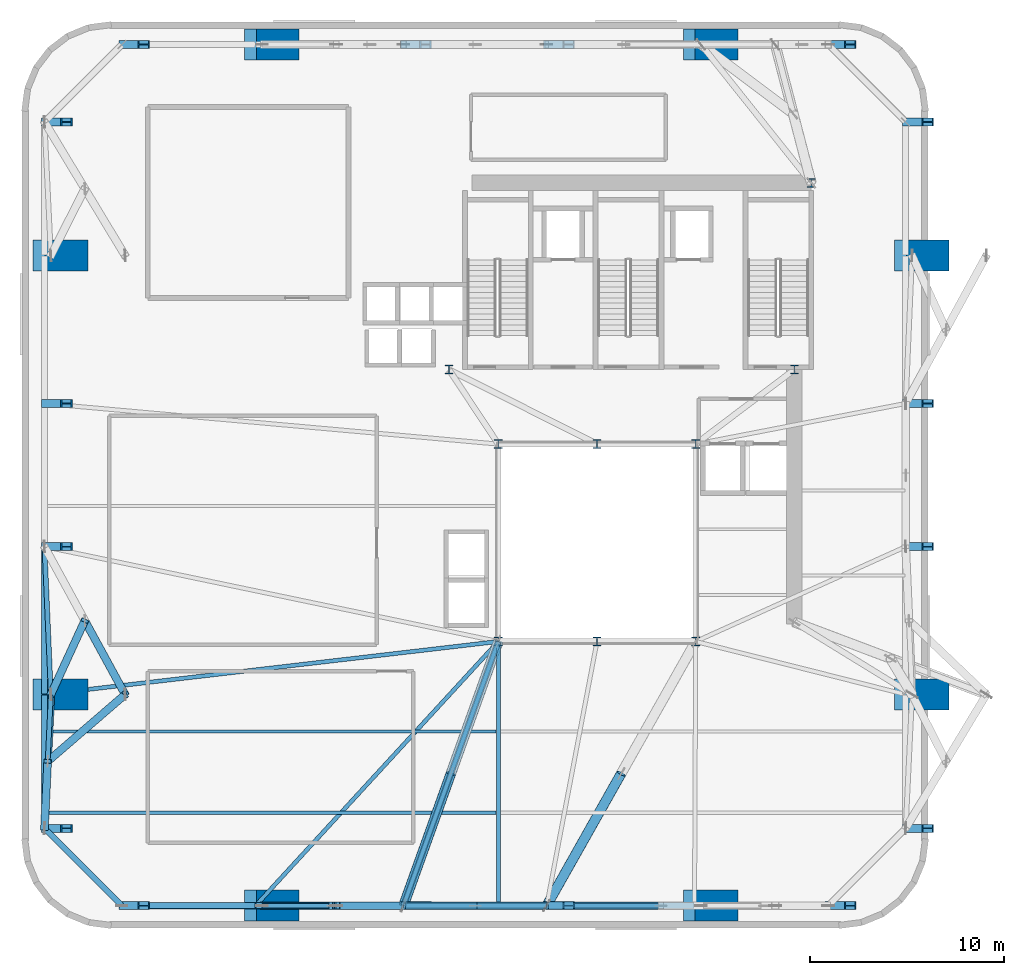
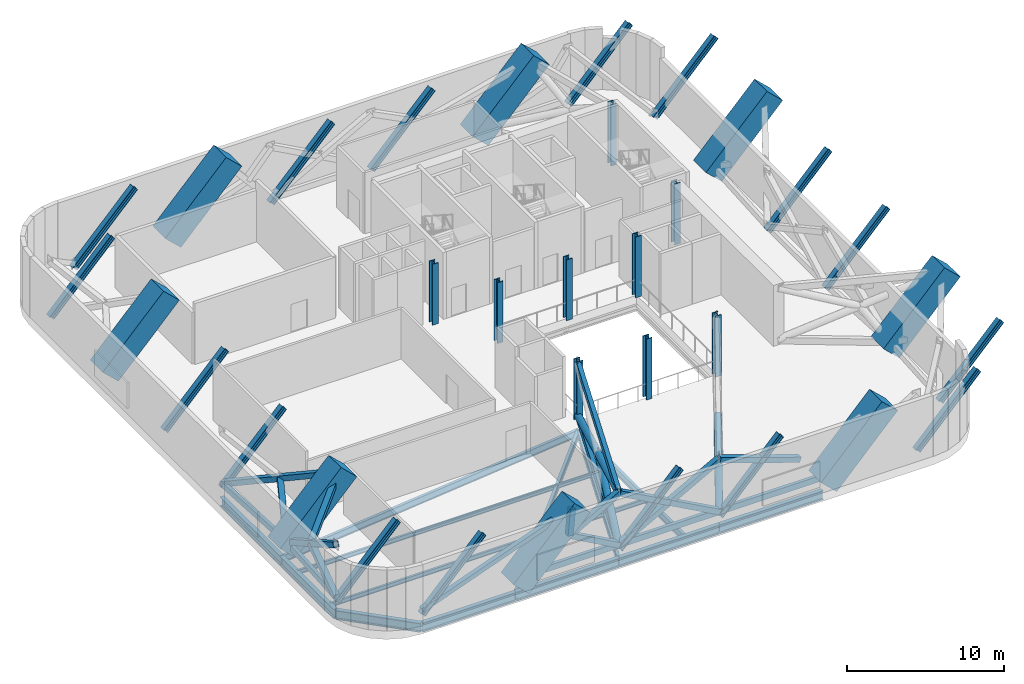
# One storey, part 1 of 12: 33 columns, 23 members, 13 beams.
"""IFC4 building model written with IfcOpenShell, lengths in metres."""

from ifc_helpers import new_model, si_unit, direction, frame, origin, origin_2d, place, context, subcontext, project, spatial, rectangle, hollow_rectangle, hollow_circle, i_section, extrude, source, transform, mapped, material, material_profile, profile_set, type_object, element, save


model = new_model("IFC4")

# Units and contexts
model_context = context("Model", 3, precision=1e-05, world=origin(), true_north=direction((0.0, 1.0)))
body_context = subcontext(model_context, "Body", "Model", "MODEL_VIEW")
ifc_project = project(units=[si_unit("LENGTHUNIT", "METRE"), si_unit("AREAUNIT", "SQUARE_METRE"), si_unit("VOLUMEUNIT", "CUBIC_METRE"), si_unit("PLANEANGLEUNIT", "RADIAN"), si_unit("MASSUNIT", "GRAM", prefix="KILO")], contexts=[model_context])

# Site, building, storey
site_placement = place(None, origin())
site = spatial("IfcSite", under=ifc_project, at=site_placement, CompositionType="ELEMENT")
building_placement = place(site_placement, origin())
building = spatial("IfcBuilding", under=site, at=building_placement, Name="Vardaveli Station Tower", CompositionType="ELEMENT")
storey_placement = place(building_placement, frame((0.0, 0.0, 166.800048828125)))
storey = spatial("IfcBuildingStorey", under=building, at=storey_placement, Name="L43", CompositionType="ELEMENT", Elevation=166.800048828125)

# Columns
ifc_material_1 = material(Name="Structural steel S460M", Category="steel")
ifc_material_profile_1 = material_profile(ifc_material_1, i_section(OverallWidth=0.424072265625, OverallDepth=0.465087890625, WebThickness=0.034912109375, FlangeThickness=0.055908203125, FilletRadius=0.014892578125, at=origin_2d()), Name="HD 400x592")
ifc_profile_set_1 = profile_set([ifc_material_profile_1], Name="Structural steel S460M")
column_type_1 = type_object("IfcColumnType", Name="COL-HD592", PredefinedType="COLUMN", material=ifc_profile_set_1)
shared_shape_1 = source(origin(), body_context, "Body", "SweptSolid", [
    extrude(i_section(OverallWidth=0.424072265625, OverallDepth=0.465087890625, WebThickness=0.034912109375, FlangeThickness=0.055908203125, FilletRadius=0.014892578125, at=origin_2d()), origin(), (0.0, 0.0, 1.0), 4.75),
])
for number, where, z_axis, x_axis, name in (
    (1, (31.199951171875, 16.60009765625, 0.0), (0.0, 0.0, 1.0), (1.0, 0.0, 0.0), "COL-L43-AC1"),
    (2, (36.300048828125, 16.60009765625, 0.0), (0.0, 0.0, 1.0), (1.0, 0.0, 0.0), "COL-L43-AC2"),
    (3, (41.39990234375, 16.60009765625, 0.0), (0.0, 0.0, 1.0), (1.0, 0.0, 0.0), "COL-L43-AC3"),
    (4, (41.39990234375, 26.800048828125, 0.0), (0.0, 0.0, 1.0), (1.0, 0.0, 0.0), "COL-L43-AC4"),
    (5, (36.300048828125, 26.800048828125, 0.0), (0.0, 0.0, 1.0), (1.0, 0.0, 0.0), "COL-L43-AC5"),
    (6, (31.199951171875, 26.800048828125, 0.0), (0.0, 0.0, 1.0), (1.0, 0.0, 0.0), "COL-L43-AC6"),
    (7, (28.64990234375, 30.64990234375, 0.0), (0.0, 0.0, 1.0), (1.0, 0.0, 0.0), "COL-L43-CC1"),
    (8, (46.5, 30.64990234375, 0.0), (0.0, 0.0, 1.0), (1.0, 0.0, 0.0), "COL-L43-CC2"),
    (9, (47.3701171875, 40.300048828125, 0.0), (0.0, 0.0, 1.0), (1.0, 0.0, 0.0), "COL-L43-CC3"),
):
    element("IfcColumn", number, at=place(storey_placement, frame(where, z_axis=z_axis, x_axis=x_axis)), inside=storey, type_object=column_type_1, Name=name, PredefinedType="COLUMN", context=body_context, shape_type="MappedRepresentation", body=[
        mapped(shared_shape_1, transform((0.0, 0.0, 0.0), scale=1.0)),
    ])
ifc_material_2 = material(Name="Concrete C60/75", Category="concrete")
ifc_material_profile_2 = material_profile(ifc_material_2, rectangle(XDim=1.60009765625, YDim=1.60009765625, at=origin_2d()), Name="MC 1600x1600")
ifc_profile_set_2 = profile_set([ifc_material_profile_2], Name="Concrete C60/75")
column_type_2 = type_object("IfcColumnType", Name="COL-MC-1600", PredefinedType="COLUMN", material=ifc_profile_set_2)
shared_shape_2 = source(origin(), body_context, "Body", "SweptSolid", [
    extrude(rectangle(XDim=1.60009765625, YDim=1.60009765625, at=origin_2d()), origin(), (0.0, 0.0, 1.0), 6.543212890625),
])
for number, where, z_axis, x_axis, name in (
    (10, (18.659912109375, 2.949951171875, 0.0), (0.687744647911, 0.0, 0.725952683906), (0.0, 1.0, 0.0), "COL-L43-MC1"),
    (11, (41.340087890625, 2.949951171875, 0.0), (0.687744647911, 0.0, 0.725952683906), (0.0, 1.0, 0.0), "COL-L43-MC2"),
    (12, (52.25, 13.860107421875, 0.0), (0.687744647911, 0.0, 0.725952683906), (0.0, 1.0, 0.0), "COL-L43-MC3"),
    (13, (52.25, 36.5400390625, 0.0), (0.687744647911, 0.0, 0.725952683906), (0.0, 1.0, 0.0), "COL-L43-MC4"),
    (14, (41.340087890625, 47.449951171875, 0.0), (0.687744647911, 0.0, 0.725952683906), (0.0, 1.0, 0.0), "COL-L43-MC5"),
    (15, (18.659912109375, 47.449951171875, 0.0), (0.687744647911, 0.0, 0.725952683906), (0.0, 1.0, 0.0), "COL-L43-MC6"),
    (16, (7.75, 36.5400390625, 0.0), (0.687744647911, 0.0, 0.725952683906), (0.0, 1.0, 0.0), "COL-L43-MC7"),
    (17, (7.75, 13.860107421875, 0.0), (0.687744647911, 0.0, 0.725952683906), (0.0, 1.0, 0.0), "COL-L43-MC8"),
):
    element("IfcColumn", number, at=place(storey_placement, frame(where, z_axis=z_axis, x_axis=x_axis)), inside=storey, type_object=column_type_2, Name=name, PredefinedType="COLUMN", context=body_context, shape_type="MappedRepresentation", body=[
        mapped(shared_shape_2, transform((0.0, 0.0, 0.0), scale=1.0)),
    ])
ifc_material_profile_3 = material_profile(ifc_material_1, i_section(OverallWidth=0.4140625, OverallDepth=0.431884765625, WebThickness=0.025634765625, FlangeThickness=0.0400390625, FilletRadius=0.014892578125, at=origin_2d()), Name="HD 400x421")
ifc_profile_set_3 = profile_set([ifc_material_profile_3], Name="Structural steel S460M")
column_type_3 = type_object("IfcColumnType", Name="COL-HD421", PredefinedType="COLUMN", material=ifc_profile_set_3)
shared_shape_3 = source(origin(), body_context, "Body", "SweptSolid", [
    extrude(i_section(OverallWidth=0.4140625, OverallDepth=0.431884765625, WebThickness=0.025634765625, FlangeThickness=0.0400390625, FilletRadius=0.014892578125, at=origin_2d()), origin(), (0.0, 0.0, 1.0), 6.543212890625),
])
for number, where, z_axis, x_axis, name in (
    (18, (11.75, 2.949951171875, 0.0), (0.687744647911, 0.0, 0.725952683906), (0.0, 1.0, 0.0), "COL-L43-PC01"),
    (19, (26.300048828125, 2.949951171875, 0.0), (0.687744647911, 0.0, 0.725952683906), (0.0, 1.0, 0.0), "COL-L43-PC02"),
    (20, (33.699951171875, 2.949951171875, 0.0), (0.687744647911, 0.0, 0.725952683906), (0.0, 1.0, 0.0), "COL-L43-PC03"),
    (21, (48.25, 2.949951171875, 0.0), (0.687744647911, 0.0, 0.725952683906), (0.0, 1.0, 0.0), "COL-L43-PC04"),
    (22, (52.25, 6.949951171875, 0.0), (0.687744647911, 0.0, 0.725952683906), (0.0, 1.0, 0.0), "COL-L43-PC05"),
    (23, (52.25, 21.5, 0.0), (0.687744647911, 0.0, 0.725952683906), (0.0, 1.0, 0.0), "COL-L43-PC06"),
    (24, (52.25, 28.89990234375, 0.0), (0.687744647911, 0.0, 0.725952683906), (0.0, 1.0, 0.0), "COL-L43-PC07"),
    (25, (52.25, 43.449951171875, 0.0), (0.687744647911, 0.0, 0.725952683906), (0.0, 1.0, 0.0), "COL-L43-PC08"),
    (26, (48.25, 47.449951171875, 0.0), (0.687744647911, 0.0, 0.725952683906), (0.0, 1.0, 0.0), "COL-L43-PC09"),
    (27, (33.699951171875, 47.449951171875, 0.0), (0.687744647911, 0.0, 0.725952683906), (0.0, 1.0, 0.0), "COL-L43-PC10"),
    (28, (26.300048828125, 47.449951171875, 0.0), (0.687744647911, 0.0, 0.725952683906), (0.0, 1.0, 0.0), "COL-L43-PC11"),
    (29, (11.75, 47.449951171875, 0.0), (0.687744647911, 0.0, 0.725952683906), (0.0, 1.0, 0.0), "COL-L43-PC12"),
    (30, (7.75, 43.449951171875, 0.0), (0.687744647911, 0.0, 0.725952683906), (0.0, 1.0, 0.0), "COL-L43-PC13"),
    (31, (7.75, 28.89990234375, 0.0), (0.687744647911, 0.0, 0.725952683906), (0.0, 1.0, 0.0), "COL-L43-PC14"),
    (32, (7.75, 21.5, 0.0), (0.687744647911, 0.0, 0.725952683906), (0.0, 1.0, 0.0), "COL-L43-PC15"),
    (33, (7.75, 6.949951171875, 0.0), (0.687744647911, 0.0, 0.725952683906), (0.0, 1.0, 0.0), "COL-L43-PC16"),
):
    element("IfcColumn", number, at=place(storey_placement, frame(where, z_axis=z_axis, x_axis=x_axis)), inside=storey, type_object=column_type_3, Name=name, PredefinedType="COLUMN", context=body_context, shape_type="MappedRepresentation", body=[
        mapped(shared_shape_3, transform((0.0, 0.0, 0.0), scale=1.0)),
    ])

# Beams
ifc_material_3 = material(Name="Structural steel S355J2", Category="steel")
ifc_material_profile_4 = material_profile(ifc_material_3, i_section(OverallWidth=0.2099609375, OverallDepth=0.550048828125, WebThickness=0.010986328125, FlangeThickness=0.01708984375, FilletRadius=0.02392578125, at=origin_2d()), Name="IPE 550")
ifc_profile_set_4 = profile_set([ifc_material_profile_4], Name="Structural steel S355J2")
beam_type_1 = type_object("IfcBeamType", Name="BM-IPE550", PredefinedType="BEAM", material=ifc_profile_set_4)
shared_shape_4 = source(origin(), body_context, "Body", "SweptSolid", [
    extrude(i_section(OverallWidth=0.2099609375, OverallDepth=0.550048828125, WebThickness=0.010986328125, FlangeThickness=0.01708984375, FilletRadius=0.02392578125, at=origin_2d()), origin(), (0.0, 0.0, 1.0), 13.469970703125),
])
beam_1_placement = place(storey_placement, frame((31.199951171875, 2.989990234375, -0.925048828125), z_axis=(0.0, 1.0, 0.0), x_axis=(-1.0, 0.0, 0.0)))
element("IfcBeam", 34, at=beam_1_placement, inside=storey, type_object=beam_type_1, Name="NSM-L43-S1", PredefinedType="BEAM", context=body_context, shape_type="MappedRepresentation", body=[
    mapped(shared_shape_4, transform((0.0, 0.0, 0.0), scale=1.0)),
])
ifc_material_profile_5 = material_profile(ifc_material_1, i_section(OverallWidth=0.303955078125, OverallDepth=0.716064453125, WebThickness=0.02099609375, FlangeThickness=0.0400390625, FilletRadius=0.027099609375, at=origin_2d()), Name="HEM 700")
ifc_profile_set_5 = profile_set([ifc_material_profile_5], Name="Structural steel S460M")
beam_type_2 = type_object("IfcBeamType", Name="BM-HEM700", PredefinedType="BEAM", material=ifc_profile_set_5)
shared_shape_5 = source(origin(), body_context, "Body", "SweptSolid", [
    extrude(i_section(OverallWidth=0.303955078125, OverallDepth=0.716064453125, WebThickness=0.02099609375, FlangeThickness=0.0400390625, FilletRadius=0.027099609375, at=origin_2d()), origin(), (0.0, 0.0, 1.0), 7.60009765625),
])
for number, where, z_axis, x_axis, name in (
    (35, (18.679931640625, 2.949951171875, -1.008056640625), (1.0, 0.0, 0.0), (0.0, 1.0, 0.0), "RBM-L43-01"),
    (36, (33.719970703125, 2.949951171875, -1.008056640625), (1.0, 0.0, 0.0), (0.0, 1.0, 0.0), "RBM-L43-03"),
    (37, (7.75, 21.47998046875, -1.008056640625), (0.0, -1.0, 0.0), (1.0, 0.0, 0.0), "RBM-L43-21"),
):
    element("IfcBeam", number, at=place(storey_placement, frame(where, z_axis=z_axis, x_axis=x_axis)), inside=storey, type_object=beam_type_2, Name=name, PredefinedType="BEAM", context=body_context, shape_type="MappedRepresentation", body=[
        mapped(shared_shape_5, transform((0.0, 0.0, 0.0), scale=1.0)),
    ])
shared_shape_6 = source(origin(), body_context, "Body", "SweptSolid", [
    extrude(i_section(OverallWidth=0.303955078125, OverallDepth=0.716064453125, WebThickness=0.02099609375, FlangeThickness=0.0400390625, FilletRadius=0.027099609375, at=origin_2d()), origin(), (0.0, 0.0, 1.0), 7.35986328125),
])
beam_2_placement = place(storey_placement, frame((26.320068359375, 2.949951171875, -1.008056640625), z_axis=(1.0, 0.0, 0.0), x_axis=(0.0, 1.0, 0.0)))
element("IfcBeam", 38, at=beam_2_placement, inside=storey, type_object=beam_type_2, Name="RBM-L43-02", PredefinedType="BEAM", context=body_context, shape_type="MappedRepresentation", body=[
    mapped(shared_shape_6, transform((0.0, 0.0, 0.0), scale=1.0)),
])
shared_shape_7 = source(origin(), body_context, "Body", "SweptSolid", [
    extrude(i_section(OverallWidth=0.303955078125, OverallDepth=0.716064453125, WebThickness=0.02099609375, FlangeThickness=0.0400390625, FilletRadius=0.027099609375, at=origin_2d()), origin(), (0.0, 0.0, 1.0), 6.869873046875),
])
beam_3_placement = place(storey_placement, frame((11.77001953125, 2.949951171875, -1.008056640625), z_axis=(1.0, 0.0, 0.0), x_axis=(0.0, 1.0, 0.0)))
element("IfcBeam", 39, at=beam_3_placement, inside=storey, type_object=beam_type_2, Name="RBM-L43-24", PredefinedType="BEAM", context=body_context, shape_type="MappedRepresentation", body=[
    mapped(shared_shape_7, transform((0.0, 0.0, 0.0), scale=1.0)),
])
shared_shape_8 = source(origin(), body_context, "Body", "SweptSolid", [
    extrude(i_section(OverallWidth=0.303955078125, OverallDepth=0.716064453125, WebThickness=0.02099609375, FlangeThickness=0.0400390625, FilletRadius=0.027099609375, at=origin_2d()), origin(), (0.0, 0.0, 1.0), 5.61669921875),
])
beam_4_placement = place(storey_placement, frame((7.76416015625, 6.935791015625, -1.008056640625), z_axis=(0.707106781187, -0.707106781187, 0.0), x_axis=(0.707106781187, 0.707106781187, 0.0)))
element("IfcBeam", 40, at=beam_4_placement, inside=storey, type_object=beam_type_2, Name="RBM-L43-23", PredefinedType="BEAM", context=body_context, shape_type="MappedRepresentation", body=[
    mapped(shared_shape_8, transform((0.0, 0.0, 0.0), scale=1.0)),
])
shared_shape_9 = source(origin(), body_context, "Body", "SweptSolid", [
    extrude(i_section(OverallWidth=0.303955078125, OverallDepth=0.716064453125, WebThickness=0.02099609375, FlangeThickness=0.0400390625, FilletRadius=0.027099609375, at=origin_2d()), origin(), (0.0, 0.0, 1.0), 6.8701171875),
])
beam_5_placement = place(storey_placement, frame((7.75, 13.840087890625, -1.008056640625), z_axis=(0.0, -1.0, 0.0), x_axis=(1.0, 0.0, 0.0)))
element("IfcBeam", 41, at=beam_5_placement, inside=storey, type_object=beam_type_2, Name="RBM-L43-22", PredefinedType="BEAM", context=body_context, shape_type="MappedRepresentation", body=[
    mapped(shared_shape_9, transform((0.0, 0.0, 0.0), scale=1.0)),
])
ifc_material_profile_6 = material_profile(ifc_material_3, i_section(OverallWidth=0.159912109375, OverallDepth=0.330078125, WebThickness=0.007568359375, FlangeThickness=0.011474609375, FilletRadius=0.01806640625, at=origin_2d()), Name="IPE 330")
ifc_profile_set_6 = profile_set([ifc_material_profile_6], Name="Structural steel S355J2")
beam_type_3 = type_object("IfcBeamType", Name="BM-IPE330", PredefinedType="JOIST", material=ifc_profile_set_6)
shared_shape_10 = source(origin(), body_context, "Body", "SweptSolid", [
    extrude(i_section(OverallWidth=0.159912109375, OverallDepth=0.330078125, WebThickness=0.007568359375, FlangeThickness=0.011474609375, FilletRadius=0.01806640625, at=origin_2d()), origin(), (0.0, 0.0, 1.0), 23.2978515625),
])
for number, where, z_axis, x_axis, name in (
    (42, (7.7900390625, 7.75, -0.81494140625), (1.0, 0.0, 0.0), (0.0, 1.0, 0.0), "SJ-L43-S01"),
    (43, (7.7900390625, 11.949951171875, -0.81494140625), (1.0, 0.0, 0.0), (0.0, 1.0, 0.0), "SJ-L43-S03"),
):
    element("IfcBeam", number, at=place(storey_placement, frame(where, z_axis=z_axis, x_axis=x_axis)), inside=storey, type_object=beam_type_3, Name=name, PredefinedType="JOIST", context=body_context, shape_type="MappedRepresentation", body=[
        mapped(shared_shape_10, transform((0.0, 0.0, 0.0), scale=1.0)),
    ])
shared_shape_11 = source(origin(), body_context, "Body", "SweptSolid", [
    extrude(i_section(OverallWidth=0.2099609375, OverallDepth=0.550048828125, WebThickness=0.010986328125, FlangeThickness=0.01708984375, FilletRadius=0.02392578125, at=origin_2d()), origin(), (0.0, 0.0, 1.0), 18.49560546875),
])
beam_6_placement = place(storey_placement, frame((18.673583984375, 2.96484375, -0.925048828125), z_axis=(0.676535341891, 0.736410165039, 0.0), x_axis=(-0.736410165039, 0.676535341891, 0.0)))
element("IfcBeam", 44, at=beam_6_placement, inside=storey, type_object=beam_type_1, Name="GBM-L43-01", PredefinedType="BEAM", context=body_context, shape_type="MappedRepresentation", body=[
    mapped(shared_shape_11, transform((0.0, 0.0, 0.0), scale=1.0)),
])
shared_shape_12 = source(origin(), body_context, "Body", "SweptSolid", [
    extrude(i_section(OverallWidth=0.2099609375, OverallDepth=0.550048828125, WebThickness=0.010986328125, FlangeThickness=0.01708984375, FilletRadius=0.02392578125, at=origin_2d()), origin(), (0.0, 0.0, 1.0), 14.462890625),
])
beam_7_placement = place(storey_placement, frame((26.306640625, 2.96875, -0.925048828125), z_axis=(0.337880090533, 0.941189165057, 0.0), x_axis=(-0.941189165057, 0.337880090533, 0.0)))
element("IfcBeam", 45, at=beam_7_placement, inside=storey, type_object=beam_type_1, Name="GBM-L43-02", PredefinedType="BEAM", context=body_context, shape_type="MappedRepresentation", body=[
    mapped(shared_shape_12, transform((0.0, 0.0, 0.0), scale=1.0)),
])
shared_shape_13 = source(origin(), body_context, "Body", "SweptSolid", [
    extrude(i_section(OverallWidth=0.2099609375, OverallDepth=0.550048828125, WebThickness=0.010986328125, FlangeThickness=0.01708984375, FilletRadius=0.02392578125, at=origin_2d()), origin(), (0.0, 0.0, 1.0), 23.569580078125),
])
beam_8_placement = place(storey_placement, frame((7.769775390625, 13.8623046875, -0.925048828125), z_axis=(0.993242915589, 0.11605391261, 0.0), x_axis=(-0.11605391261, 0.993242915589, 0.0)))
element("IfcBeam", 46, at=beam_8_placement, inside=storey, type_object=beam_type_1, Name="GBM-L43-10", PredefinedType="BEAM", context=body_context, shape_type="MappedRepresentation", body=[
    mapped(shared_shape_13, transform((0.0, 0.0, 0.0), scale=1.0)),
])

# Members
ifc_material_profile_7 = material_profile(ifc_material_1, hollow_rectangle(XDim=0.25, YDim=0.449951171875, WallThickness=0.01611328125, at=origin_2d()), Name="RHS 450x250x16")
ifc_profile_set_7 = profile_set([ifc_material_profile_7], Name="Structural steel S460M")
member_type_1 = type_object("IfcMemberType", Name="MEM-CH-RHS450", PredefinedType="CHORD", material=ifc_profile_set_7)
shared_shape_14 = source(origin(), body_context, "Body", "SweptSolid", [
    extrude(hollow_rectangle(XDim=0.25, YDim=0.449951171875, WallThickness=0.01611328125, at=origin_2d()), origin(), (0.0, 0.0, 1.0), 7.308349609375),
])
member_1_placement = place(storey_placement, frame((18.99169921875, 2.949951171875, 0.349853515625), z_axis=(1.0, 0.0, 0.0), x_axis=(0.0, 1.0, 0.0)))
element("IfcMember", 47, at=member_1_placement, inside=storey, type_object=member_type_1, Name="BLT-L43-CH-01", PredefinedType="CHORD", context=body_context, shape_type="MappedRepresentation", body=[
    mapped(shared_shape_14, transform((0.0, 0.0, 0.0), scale=1.0)),
])
ifc_material_profile_8 = material_profile(ifc_material_1, hollow_rectangle(XDim=0.39990234375, YDim=0.39990234375, WallThickness=0.02001953125, at=origin_2d()), Name="RHS 400x400x20")
ifc_profile_set_8 = profile_set([ifc_material_profile_8], Name="Structural steel S460M")
member_type_2 = type_object("IfcMemberType", Name="MEM-BR-RHS400", PredefinedType="BRACE", material=ifc_profile_set_8)
shared_shape_15 = source(origin(), body_context, "Body", "SweptSolid", [
    extrude(hollow_rectangle(XDim=0.39990234375, YDim=0.39990234375, WallThickness=0.02001953125, at=origin_2d()), origin(), (0.0, 0.0, 1.0), 8.35546875),
])
member_2_placement = place(storey_placement, frame((18.99169921875, 2.949951171875, 0.349853515625), z_axis=(0.874672251849, 0.0, 0.484714814963), x_axis=(0.0, 1.0, 0.0)))
element("IfcMember", 48, at=member_2_placement, inside=storey, type_object=member_type_2, Name="BLT-L43-D1-01", PredefinedType="BRACE", context=body_context, shape_type="MappedRepresentation", body=[
    mapped(shared_shape_15, transform((0.0, 0.0, 0.0), scale=1.0)),
])
shared_shape_16 = source(origin(), body_context, "Body", "SweptSolid", [
    extrude(hollow_rectangle(XDim=0.39990234375, YDim=0.39990234375, WallThickness=0.02001953125, at=origin_2d()), origin(), (0.0, 0.0, 1.0), 4.177978515625),
])
member_3_placement = place(storey_placement, frame((26.300048828125, 2.949951171875, 0.349853515625), z_axis=(-0.874666729081, 0.0, 0.484724780714), x_axis=(0.0, -1.0, 0.0)))
element("IfcMember", 49, at=member_3_placement, inside=storey, type_object=member_type_2, Name="BLT-L43-D2A-01", PredefinedType="BRACE", context=body_context, shape_type="MappedRepresentation", body=[
    mapped(shared_shape_16, transform((0.0, 0.0, 0.0), scale=1.0)),
])
shared_shape_17 = source(origin(), body_context, "Body", "SweptSolid", [
    extrude(hollow_rectangle(XDim=0.39990234375, YDim=0.39990234375, WallThickness=0.02001953125, at=origin_2d()), origin(), (0.0, 0.0, 1.0), 2.033203125),
])
member_4_placement = place(storey_placement, frame((22.645751953125, 2.949951171875, 2.375), z_axis=(0.089821137984, 0.0, 0.995957912349), x_axis=(0.0, 1.0, 0.0)))
element("IfcMember", 50, at=member_4_placement, inside=storey, type_object=member_type_2, Name="BLT-L43-D2B-01", PredefinedType="BRACE", context=body_context, shape_type="MappedRepresentation", body=[
    mapped(shared_shape_17, transform((0.0, 0.0, 0.0), scale=1.0)),
])
shared_shape_18 = source(origin(), body_context, "Body", "SweptSolid", [
    extrude(hollow_rectangle(XDim=0.25, YDim=0.449951171875, WallThickness=0.01611328125, at=origin_2d()), origin(), (0.0, 0.0, 1.0), 7.39990234375),
])
member_5_placement = place(storey_placement, frame((26.300048828125, 2.949951171875, 0.349853515625), z_axis=(1.0, 0.0, 0.0), x_axis=(0.0, 1.0, 0.0)))
element("IfcMember", 51, at=member_5_placement, inside=storey, type_object=member_type_1, Name="BLT-L43-CH-02", PredefinedType="CHORD", context=body_context, shape_type="MappedRepresentation", body=[
    mapped(shared_shape_18, transform((0.0, 0.0, 0.0), scale=1.0)),
])
shared_shape_19 = source(origin(), body_context, "Body", "SweptSolid", [
    extrude(hollow_rectangle(XDim=0.39990234375, YDim=0.39990234375, WallThickness=0.02001953125, at=origin_2d()), origin(), (0.0, 0.0, 1.0), 8.435791015625),
])
member_6_placement = place(storey_placement, frame((26.300048828125, 2.949951171875, 0.349853515625), z_axis=(0.877210039359, 0.0, 0.480106807751), x_axis=(0.0, 1.0, 0.0)))
element("IfcMember", 52, at=member_6_placement, inside=storey, type_object=member_type_2, Name="BLT-L43-D1-02", PredefinedType="BRACE", context=body_context, shape_type="MappedRepresentation", body=[
    mapped(shared_shape_19, transform((0.0, 0.0, 0.0), scale=1.0)),
])
shared_shape_20 = source(origin(), body_context, "Body", "SweptSolid", [
    extrude(hollow_rectangle(XDim=0.39990234375, YDim=0.39990234375, WallThickness=0.02001953125, at=origin_2d()), origin(), (0.0, 0.0, 1.0), 4.218017578125),
])
member_7_placement = place(storey_placement, frame((33.699951171875, 2.949951171875, 0.349853515625), z_axis=(-0.877197850497, 0.0, 0.480129077524), x_axis=(0.0, -1.0, 0.0)))
element("IfcMember", 53, at=member_7_placement, inside=storey, type_object=member_type_2, Name="BLT-L43-D2A-02", PredefinedType="BRACE", context=body_context, shape_type="MappedRepresentation", body=[
    mapped(shared_shape_20, transform((0.0, 0.0, 0.0), scale=1.0)),
])
shared_shape_21 = source(origin(), body_context, "Body", "SweptSolid", [
    extrude(hollow_rectangle(XDim=0.39990234375, YDim=0.39990234375, WallThickness=0.02001953125, at=origin_2d()), origin(), (0.0, 0.0, 1.0), 4.2177734375),
])
member_8_placement = place(storey_placement, frame((30.0, 2.949951171875, 2.375), z_axis=(-0.877222227994, 0.0, 0.480084537049), x_axis=(0.0, -1.0, 0.0)))
element("IfcMember", 54, at=member_8_placement, inside=storey, type_object=member_type_2, Name="BLT-L43-D2B-02", PredefinedType="BRACE", context=body_context, shape_type="MappedRepresentation", body=[
    mapped(shared_shape_21, transform((0.0, 0.0, 0.0), scale=1.0)),
])
shared_shape_22 = source(origin(), body_context, "Body", "SweptSolid", [
    extrude(hollow_rectangle(XDim=0.25, YDim=0.449951171875, WallThickness=0.01611328125, at=origin_2d()), origin(), (0.0, 0.0, 1.0), 7.9716796875),
])
member_9_placement = place(storey_placement, frame((33.699951171875, 2.949951171875, 0.349853515625), z_axis=(1.0, 0.0, 0.0), x_axis=(0.0, 1.0, 0.0)))
element("IfcMember", 55, at=member_9_placement, inside=storey, type_object=member_type_1, Name="BLT-L43-CH-03", PredefinedType="CHORD", context=body_context, shape_type="MappedRepresentation", body=[
    mapped(shared_shape_22, transform((0.0, 0.0, 0.0), scale=1.0)),
])
shared_shape_23 = source(origin(), body_context, "Body", "SweptSolid", [
    extrude(hollow_rectangle(XDim=0.39990234375, YDim=0.39990234375, WallThickness=0.02001953125, at=origin_2d()), origin(), (0.0, 0.0, 1.0), 6.241943359375),
])
member_10_placement = place(storey_placement, frame((39.604248046875, 2.949951171875, 2.375), z_axis=(-0.945917828762, 0.0, 0.324406321194), x_axis=(0.0, -1.0, 0.0)))
element("IfcMember", 56, at=member_10_placement, inside=storey, type_object=member_type_2, Name="BLT-L43-D2B-03", PredefinedType="BRACE", context=body_context, shape_type="MappedRepresentation", body=[
    mapped(shared_shape_23, transform((0.0, 0.0, 0.0), scale=1.0)),
])
shared_shape_24 = source(origin(), body_context, "Body", "SweptSolid", [
    extrude(hollow_rectangle(XDim=0.25, YDim=0.449951171875, WallThickness=0.01611328125, at=origin_2d()), origin(), (0.0, 0.0, 1.0), 6.918212890625),
])
member_11_placement = place(storey_placement, frame((8.08154296875, 13.860107421875, 0.349853515625), z_axis=(-0.047923955643, -0.998850987122, 0.0), x_axis=(0.998850987122, -0.047923955643, 0.0)))
element("IfcMember", 57, at=member_11_placement, inside=storey, type_object=member_type_1, Name="BLT-L43-CH-15", PredefinedType="CHORD", context=body_context, shape_type="MappedRepresentation", body=[
    mapped(shared_shape_24, transform((0.0, 0.0, 0.0), scale=1.0)),
])
shared_shape_25 = source(origin(), body_context, "Body", "SweptSolid", [
    extrude(hollow_rectangle(XDim=0.25, YDim=0.449951171875, WallThickness=0.01611328125, at=origin_2d()), origin(), (0.0, 0.0, 1.0), 7.64697265625),
])
member_12_placement = place(storey_placement, frame((7.75, 21.5, 0.349853515625), z_axis=(0.043355481573, -0.999059709035, 0.0), x_axis=(0.999059709035, 0.043355481573, 0.0)))
element("IfcMember", 58, at=member_12_placement, inside=storey, type_object=member_type_1, Name="BLT-L43-CH-14", PredefinedType="CHORD", context=body_context, shape_type="MappedRepresentation", body=[
    mapped(shared_shape_25, transform((0.0, 0.0, 0.0), scale=1.0)),
])
shared_shape_26 = source(origin(), body_context, "Body", "SweptSolid", [
    extrude(hollow_rectangle(XDim=0.39990234375, YDim=0.39990234375, WallThickness=0.02001953125, at=origin_2d()), origin(), (0.0, 0.0, 1.0), 9.599365234375),
])
member_13_placement = place(storey_placement, frame((7.75, 21.5, 0.349853515625), z_axis=(0.43424516583, -0.795878761527, 0.421910100501), x_axis=(0.877835530868, 0.478962191354, 0.0)))
element("IfcMember", 59, at=member_13_placement, inside=storey, type_object=member_type_2, Name="BLT-L43-D1-14", PredefinedType="BRACE", context=body_context, shape_type="MappedRepresentation", body=[
    mapped(shared_shape_26, transform((0.0, 0.0, 0.0), scale=1.0)),
])
shared_shape_27 = source(origin(), body_context, "Body", "SweptSolid", [
    extrude(hollow_rectangle(XDim=0.39990234375, YDim=0.39990234375, WallThickness=0.02001953125, at=origin_2d()), origin(), (0.0, 0.0, 1.0), 4.665283203125),
])
member_14_placement = place(storey_placement, frame((8.08154296875, 13.860107421875, 0.349853515625), z_axis=(0.375692764614, 0.818789385034, 0.434095484396), x_axis=(-0.908890554032, 0.417034723724, 0.0)))
element("IfcMember", 60, at=member_14_placement, inside=storey, type_object=member_type_2, Name="BLT-L43-D2A-14", PredefinedType="BRACE", context=body_context, shape_type="MappedRepresentation", body=[
    mapped(shared_shape_27, transform((0.0, 0.0, 0.0), scale=1.0)),
])
shared_shape_28 = source(origin(), body_context, "Body", "SweptSolid", [
    extrude(hollow_rectangle(XDim=0.39990234375, YDim=0.39990234375, WallThickness=0.02001953125, at=origin_2d()), origin(), (0.0, 0.0, 1.0), 8.016357421875),
])
member_15_placement = place(storey_placement, frame((8.08154296875, 13.860107421875, 0.349853515625), z_axis=(-0.041357956148, -0.861999698675, 0.505218803043), x_axis=(0.998850987122, -0.047923955643, 0.0)))
element("IfcMember", 61, at=member_15_placement, inside=storey, type_object=member_type_2, Name="BLT-L43-D1-15", PredefinedType="BRACE", context=body_context, shape_type="MappedRepresentation", body=[
    mapped(shared_shape_28, transform((0.0, 0.0, 0.0), scale=1.0)),
])
shared_shape_29 = source(origin(), body_context, "Body", "SweptSolid", [
    extrude(hollow_rectangle(XDim=0.39990234375, YDim=0.39990234375, WallThickness=0.02001953125, at=origin_2d()), origin(), (0.0, 0.0, 1.0), 4.00830078125),
])
member_16_placement = place(storey_placement, frame((7.75, 6.949951171875, 0.349853515625), z_axis=(0.04135731979, 0.861986435455, 0.505241484037), x_axis=(-0.998850987122, 0.047923955643, 0.0)))
element("IfcMember", 62, at=member_16_placement, inside=storey, type_object=member_type_2, Name="BLT-L43-D2A-15", PredefinedType="BRACE", context=body_context, shape_type="MappedRepresentation", body=[
    mapped(shared_shape_29, transform((0.0, 0.0, 0.0), scale=1.0)),
])
shared_shape_30 = source(origin(), body_context, "Body", "SweptSolid", [
    extrude(hollow_rectangle(XDim=0.39990234375, YDim=0.39990234375, WallThickness=0.02001953125, at=origin_2d()), origin(), (0.0, 0.0, 1.0), 5.662109375),
])
member_17_placement = place(storey_placement, frame((7.915771484375, 10.405029296875, 2.375), z_axis=(0.706926969615, 0.610212288746, 0.357624415126), x_axis=(-0.653426309015, 0.756990131169, 0.0)))
element("IfcMember", 63, at=member_17_placement, inside=storey, type_object=member_type_2, Name="BLT-L43-D2B-15", PredefinedType="BRACE", context=body_context, shape_type="MappedRepresentation", body=[
    mapped(shared_shape_30, transform((0.0, 0.0, 0.0), scale=1.0)),
])
ifc_material_profile_9 = material_profile(ifc_material_1, hollow_rectangle(XDim=0.35009765625, YDim=0.35009765625, WallThickness=0.01611328125, at=origin_2d()), Name="RHS 350x350x16")
ifc_profile_set_9 = profile_set([ifc_material_profile_9], Name="Structural steel S460M")
member_type_3 = type_object("IfcMemberType", Name="MEM-ST-RHS350", PredefinedType="STRUT", material=ifc_profile_set_9)
shared_shape_31 = source(origin(), body_context, "Body", "SweptSolid", [
    extrude(hollow_rectangle(XDim=0.35009765625, YDim=0.35009765625, WallThickness=0.01611328125, at=origin_2d()), origin(), (0.0, 0.0, 1.0), 11.79541015625),
])
member_18_placement = place(storey_placement, frame((11.75, 2.949951171875, 0.349853515625), z_axis=(0.939205247186, 0.0, 0.343356234338), x_axis=(0.0, 1.0, 0.0)))
element("IfcMember", 64, at=member_18_placement, inside=storey, type_object=member_type_3, Name="STRUT-L43-1", PredefinedType="STRUT", context=body_context, shape_type="MappedRepresentation", body=[
    mapped(shared_shape_31, transform((0.0, 0.0, 0.0), scale=1.0)),
])
ifc_material_profile_10 = material_profile(ifc_material_1, hollow_rectangle(XDim=0.300048828125, YDim=0.5, WallThickness=0.02001953125, at=origin_2d()), Name="RHS 500x300x20")
ifc_profile_set_10 = profile_set([ifc_material_profile_10], Name="Structural steel S460M")
member_type_4 = type_object("IfcMemberType", Name="MEM-CH-RHS500", PredefinedType="CHORD", material=ifc_profile_set_10)
shared_shape_32 = source(origin(), body_context, "Body", "SweptSolid", [
    extrude(hollow_rectangle(XDim=0.300048828125, YDim=0.5, WallThickness=0.02001953125, at=origin_2d()), origin(), (0.0, 0.0, 1.0), 14.5029296875),
])
for number, where, z_axis, x_axis, name in (
    (65, (31.199951171875, 16.60009765625, 0.349853515625), (-0.337855576833, -0.941197964938, 0.0), (0.941197964938, -0.337855576833, 0.0), "OUT-L43-OA1-CHB"),
    (66, (31.199951171875, 16.60009765625, 4.39990234375), (-0.337855576833, -0.941197964938, 0.0), (0.941197964938, -0.337855576833, 0.0), "OUT-L43-OA1-CHT"),
):
    element("IfcMember", number, at=place(storey_placement, frame(where, z_axis=z_axis, x_axis=x_axis)), inside=storey, type_object=member_type_4, Name=name, PredefinedType="CHORD", context=body_context, shape_type="MappedRepresentation", body=[
        mapped(shared_shape_32, transform((0.0, 0.0, 0.0), scale=1.0)),
    ])
ifc_material_profile_11 = material_profile(ifc_material_1, hollow_circle(Radius=0.25390625, WallThickness=0.02490234375, at=origin_2d()), Name="CHS 508x25")
ifc_profile_set_11 = profile_set([ifc_material_profile_11], Name="Structural steel S460M")
member_type_5 = type_object("IfcMemberType", Name="MEM-BR-CHS508", PredefinedType="BRACE", material=ifc_profile_set_11)
shared_shape_33 = source(origin(), body_context, "Body", "SweptSolid", [
    extrude(hollow_circle(Radius=0.25390625, WallThickness=0.02490234375, at=origin_2d()), origin(), (0.0, 0.0, 1.0), 15.057861328125),
])
member_19_placement = place(storey_placement, frame((31.199951171875, 16.60009765625, 0.349853515625), z_axis=(-0.325405470504, -0.90651446245, 0.268966185859), x_axis=(0.941197964938, -0.337855576833, 0.0)))
element("IfcMember", 67, at=member_19_placement, inside=storey, type_object=member_type_5, Name="OUT-L43-OA1-D1", PredefinedType="BRACE", context=body_context, shape_type="MappedRepresentation", body=[
    mapped(shared_shape_33, transform((0.0, 0.0, 0.0), scale=1.0)),
])
shared_shape_34 = source(origin(), body_context, "Body", "SweptSolid", [
    extrude(hollow_circle(Radius=0.25390625, WallThickness=0.02490234375, at=origin_2d()), origin(), (0.0, 0.0, 1.0), 7.52880859375),
])
member_20_placement = place(storey_placement, frame((26.300048828125, 2.949951171875, 0.349853515625), z_axis=(0.325408834157, 0.906507619217, 0.268985179804), x_axis=(-0.941196043368, 0.337860929894, 0.0)))
element("IfcMember", 68, at=member_20_placement, inside=storey, type_object=member_type_5, Name="OUT-L43-OA1-D2A", PredefinedType="BRACE", context=body_context, shape_type="MappedRepresentation", body=[
    mapped(shared_shape_34, transform((0.0, 0.0, 0.0), scale=1.0)),
])
shared_shape_35 = source(origin(), body_context, "Body", "SweptSolid", [
    extrude(hollow_circle(Radius=0.25390625, WallThickness=0.02490234375, at=origin_2d()), origin(), (0.0, 0.0, 1.0), 8.093505859375),
])
member_21_placement = place(storey_placement, frame((33.699951171875, 2.949951171875, 0.349853515625), z_axis=(0.475703573184, 0.843265275102, 0.250219476193), x_axis=(-0.870971630387, 0.491333307502, 0.0)))
element("IfcMember", 69, at=member_21_placement, inside=storey, type_object=member_type_5, Name="OUT-L43-OA2-D2A", PredefinedType="BRACE", context=body_context, shape_type="MappedRepresentation", body=[
    mapped(shared_shape_35, transform((0.0, 0.0, 0.0), scale=1.0)),
])

save(model, "model.ifc")
